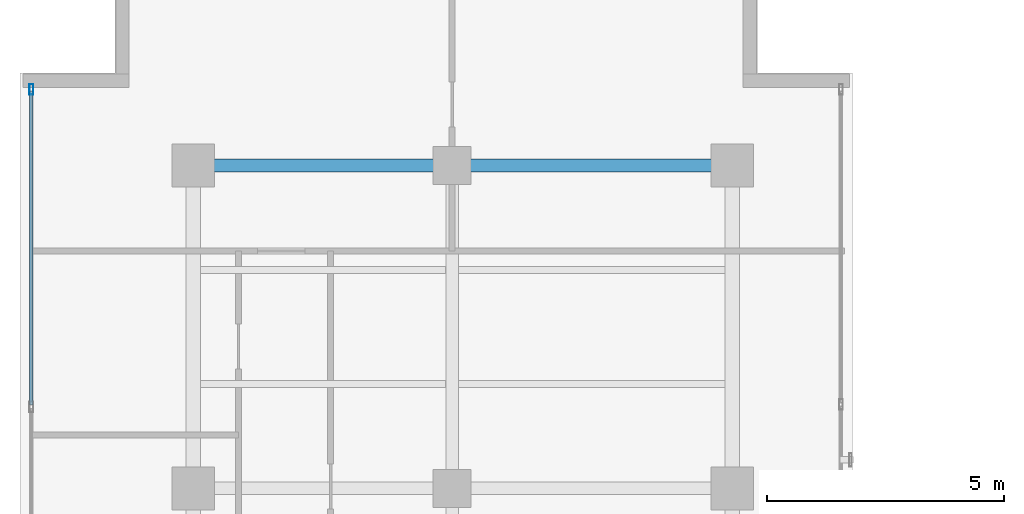
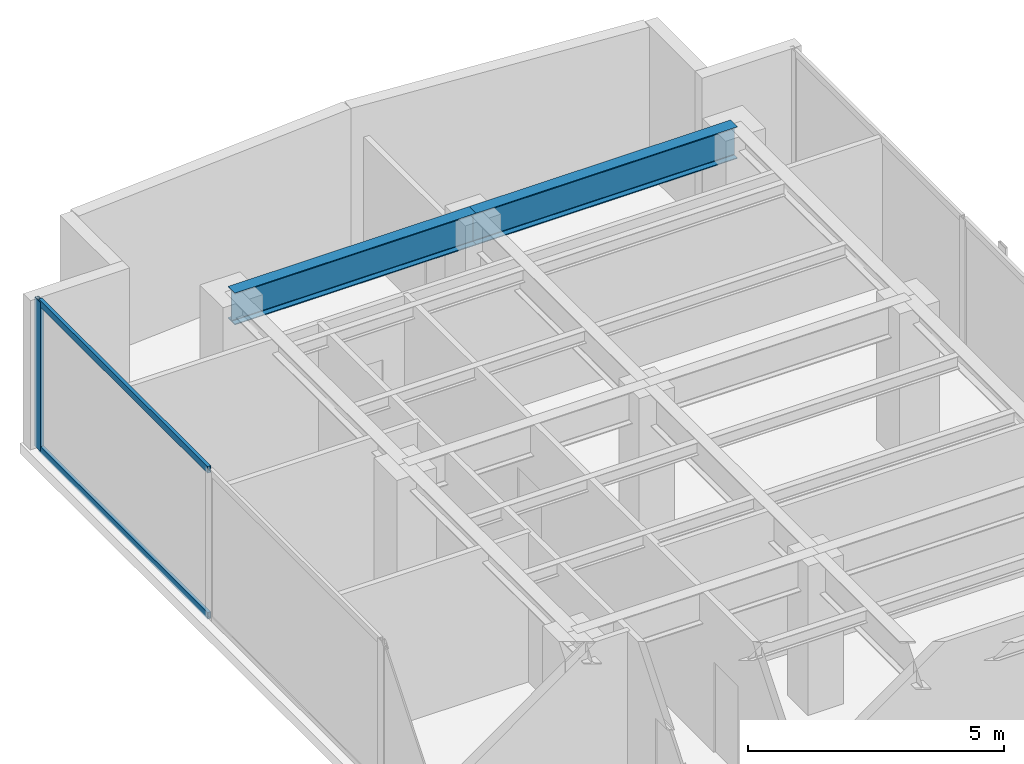
# One storey, part 13 of 23: 3 members, 2 beams, 1 element without a shape of its own.
"""IFC4 building model written with IfcOpenShell, lengths in metres."""

from ifc_helpers import new_model, si_unit, direction, frame, origin, origin_with_axes, origin_2d, place, context, subcontext, project, spatial, hollow_rectangle, i_section, extrude, source, transform, mapped, material, layer, layer_set, material_profile, profile_set, type_object, element, aggregate, save


model = new_model("IFC4")

# Units and contexts
model_context = context("Model", 3, precision=1e-05, world=origin(), true_north=direction((0.0, 1.0)))
body_context = subcontext(model_context, "Body", "Model", "MODEL_VIEW")
ifc_project = project(units=[si_unit("LENGTHUNIT", "METRE"), si_unit("AREAUNIT", "SQUARE_METRE"), si_unit("VOLUMEUNIT", "CUBIC_METRE"), si_unit("PLANEANGLEUNIT", "RADIAN"), si_unit("MASSUNIT", "GRAM", prefix="KILO")], contexts=[model_context])

# Site, building, storey
site_placement = place(None, origin())
site = spatial("IfcSite", under=ifc_project, at=site_placement, CompositionType="ELEMENT")
building_placement = place(site_placement, origin())
building = spatial("IfcBuilding", under=site, at=building_placement, Name="Kolvaren Waterfront Exchange", CompositionType="ELEMENT")
storey_placement = place(building_placement, frame((0.0, 0.0, 289.39990234375)))
storey = spatial("IfcBuildingStorey", under=building, at=storey_placement, Name="L74", CompositionType="ELEMENT", Elevation=289.39990234375)

# Beams
ifc_material_1 = material(Name="Steel S355", Category="steel")
ifc_material_profile_1 = material_profile(ifc_material_1, i_section(OverallWidth=0.26708984375, OverallDepth=0.761962890625, WebThickness=0.014404296875, FlangeThickness=0.021484375, FilletRadius=0.01708984375, at=origin_2d()), Name="IPE750x173")
ifc_profile_set_1 = profile_set([ifc_material_profile_1], Name="Steel S355")
beam_type = type_object("IfcBeamType", Name="STR-BM-IPE750", PredefinedType="BEAM", material=ifc_profile_set_1)
beam_1_placement = place(storey_placement, frame((7.449951171875, 44.60009765625, 3.17919921875), z_axis=(1.0, 0.0, 0.0), x_axis=(0.0, 1.0, 0.0)))
element("IfcBeam", 1, at=beam_1_placement, inside=storey, type_object=beam_type, Name="L74 north-arm girder 4A", PredefinedType="BEAM", context=body_context, shape_type="SweptSolid", body=[
    extrude(i_section(OverallWidth=0.26708984375, OverallDepth=0.761962890625, WebThickness=0.014404296875, FlangeThickness=0.021484375, FilletRadius=0.01708984375, at=origin_2d()), origin(), (0.0, 0.0, 1.0), 5.449951171875),
])
beam_2_placement = place(storey_placement, frame((12.89990234375, 44.60009765625, 3.17919921875), z_axis=(1.0, 0.0, 0.0), x_axis=(0.0, 1.0, 0.0)))
element("IfcBeam", 2, at=beam_2_placement, inside=storey, type_object=beam_type, Name="L74 north-arm girder 4B", PredefinedType="BEAM", context=body_context, shape_type="SweptSolid", body=[
    extrude(i_section(OverallWidth=0.26708984375, OverallDepth=0.761962890625, WebThickness=0.014404296875, FlangeThickness=0.021484375, FilletRadius=0.01708984375, at=origin_2d()), origin(), (0.0, 0.0, 1.0), 5.900146484375),
])

# Curtain wall, members
ifc_material_2 = material(Name="Anodised aluminium 6063-T6", Category="aluminium")
ifc_layer = layer(ifc_material_2, 0.219970703125, Name="Anodised aluminium 6063-T6")
ifc_layer_set = layer_set([ifc_layer], Name="Anodised aluminium 6063-T6")
curtain_wall_type = type_object("IfcCurtainWallType", Name="ARC-CW-SYS2", PredefinedType="USERDEFINED", material=ifc_layer_set)
curtain_wall_placement = place(storey_placement, origin())
curtain_wall = element("IfcCurtainWall", 3, at=curtain_wall_placement, inside=storey, type_object=curtain_wall_type, Name="L74 stick curtain wall CW2 (CW-L74-W)", ObjectType="STICK CURTAIN WALL", PredefinedType="USERDEFINED")
ifc_material_profile_2 = material_profile(ifc_material_2, hollow_rectangle(XDim=0.080078125, YDim=0.219970703125, WallThickness=0.0048828125, at=origin_2d()), Name="ALU-MUL-220x80x5")
ifc_profile_set_2 = profile_set([ifc_material_profile_2], Name="Anodised aluminium 6063-T6")
member_type_1 = type_object("IfcMemberType", Name="ARC-CWM-220", PredefinedType="MULLION", material=ifc_profile_set_2)
shared_shape_1 = source(origin_with_axes(), body_context, "Body", "SweptSolid", [
    extrude(hollow_rectangle(XDim=0.080078125, YDim=0.219970703125, WallThickness=0.0048828125, at=origin_2d()), origin(), (0.0, 0.0, 1.0), 3.56005859375),
])
member_1_placement = place(storey_placement, frame((4.0400390625, 46.2021484375, 0.0), z_axis=(0.0, 0.0, 1.0), x_axis=(-1.0, 0.0, 0.0)))
member_1 = element("IfcMember", 4, at=member_1_placement, type_object=member_type_1, Name="CW2 mullion 7", PredefinedType="MULLION", context=body_context, shape_type="MappedRepresentation", body=[
    mapped(shared_shape_1, transform((0.0, 0.0, 0.0), x_axis=(1.0, 0.0, 0.0), y_axis=(0.0, 1.0, 0.0), z_axis=(0.0, 0.0, 1.0), scale=1.0)),
])
ifc_material_profile_3 = material_profile(ifc_material_2, hollow_rectangle(XDim=0.074951171875, YDim=0.159912109375, WallThickness=0.00439453125, at=origin_2d()), Name="ALU-TRN-160x75x4.5")
ifc_profile_set_3 = profile_set([ifc_material_profile_3], Name="Anodised aluminium 6063-T6")
member_type_2 = type_object("IfcMemberType", Name="ARC-CWT-160", PredefinedType="USERDEFINED", material=ifc_profile_set_3)
shared_shape_2 = source(origin_with_axes(), body_context, "Body", "SweptSolid", [
    extrude(hollow_rectangle(XDim=0.074951171875, YDim=0.159912109375, WallThickness=0.00439453125, at=origin_2d()), origin(), (0.0, 0.0, 1.0), 6.603759765625),
])
member_2_placement = place(storey_placement, frame((4.0400390625, 39.558349609375, 0.03759765625), z_axis=(0.0, 1.0, 0.0), x_axis=(-1.0, 0.0, 0.0)))
member_2 = element("IfcMember", 5, at=member_2_placement, type_object=member_type_2, Name="CW2 transom 6.1", ObjectType="TRANSOM", PredefinedType="USERDEFINED", context=body_context, shape_type="MappedRepresentation", body=[
    mapped(shared_shape_2, transform((0.0, 0.0, 0.0), x_axis=(1.0, 0.0, 0.0), y_axis=(0.0, 1.0, 0.0), z_axis=(0.0, 0.0, 1.0), scale=1.0)),
])
member_3_placement = place(storey_placement, frame((4.0400390625, 39.558349609375, 3.522705078125), z_axis=(0.0, 1.0, 0.0), x_axis=(-1.0, 0.0, 0.0)))
member_3 = element("IfcMember", 6, at=member_3_placement, type_object=member_type_2, Name="CW2 transom 6.2", ObjectType="TRANSOM", PredefinedType="USERDEFINED", context=body_context, shape_type="MappedRepresentation", body=[
    mapped(shared_shape_2, transform((0.0, 0.0, 0.0), x_axis=(1.0, 0.0, 0.0), y_axis=(0.0, 1.0, 0.0), z_axis=(0.0, 0.0, 1.0), scale=1.0)),
])
aggregate(curtain_wall, [member_1, member_2, member_3])

save(model, "model.ifc")
